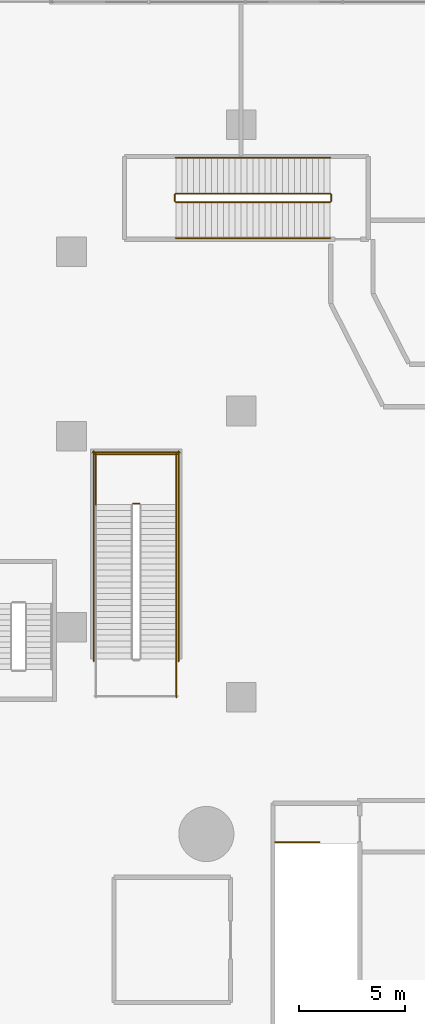
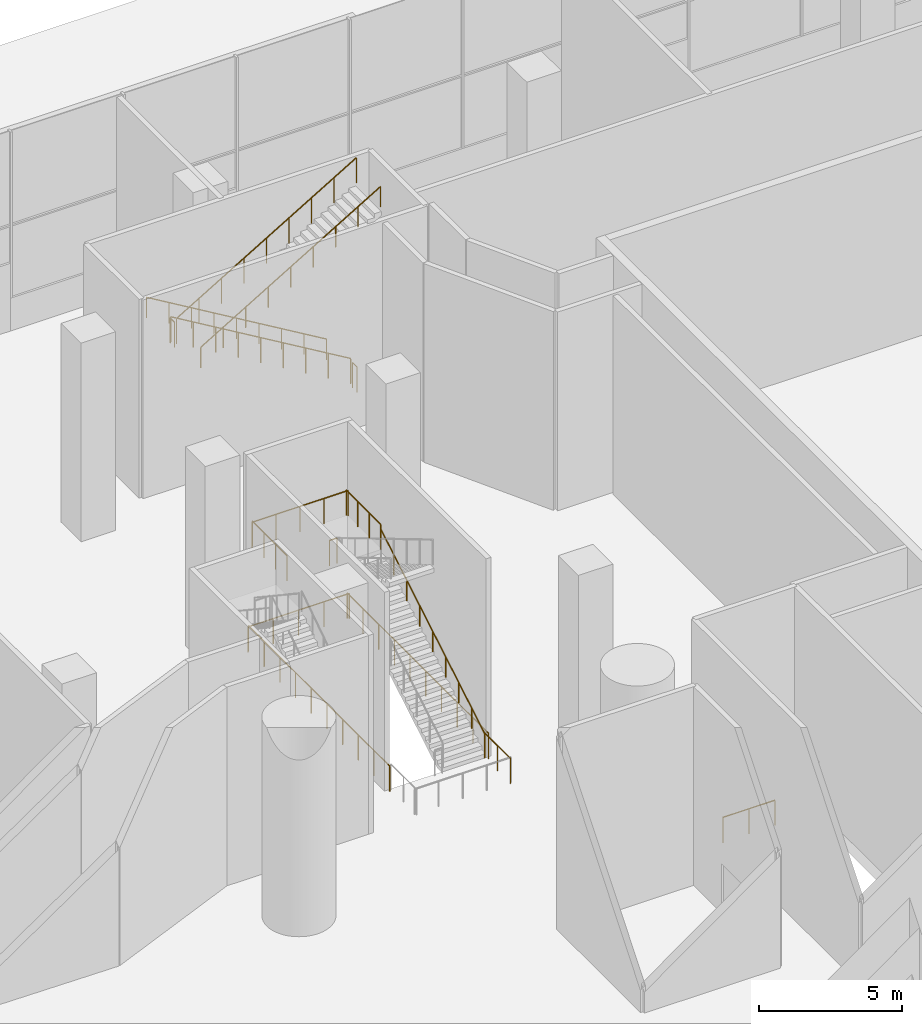
# One storey, part 49 of 54: 16 railings.
"""IFC4 building model written with IfcOpenShell, lengths in metres."""

from ifc_helpers import new_model, si_unit, direction, frame, origin, origin_2d, place, context, subcontext, project, spatial, circle, extrude, material, type_object, element, save


model = new_model("IFC4")

# Units and contexts
model_context = context("Model", 3, precision=1e-05, world=origin(), true_north=direction((0.0, 1.0)))
body_context = subcontext(model_context, "Body", "Model", "MODEL_VIEW")
ifc_project = project(units=[si_unit("LENGTHUNIT", "METRE"), si_unit("AREAUNIT", "SQUARE_METRE"), si_unit("VOLUMEUNIT", "CUBIC_METRE"), si_unit("PLANEANGLEUNIT", "RADIAN"), si_unit("MASSUNIT", "GRAM", prefix="KILO")], contexts=[model_context])

# Site, building, storey
site_placement = place(None, origin())
site = spatial("IfcSite", under=ifc_project, at=site_placement, CompositionType="ELEMENT")
building_placement = place(site_placement, origin())
building = spatial("IfcBuilding", under=site, at=building_placement, Name="Tamarind Cross Interchange Tower", CompositionType="ELEMENT")
storey_placement = place(building_placement, origin())
storey = spatial("IfcBuildingStorey", under=building, at=storey_placement, Name="L00", CompositionType="ELEMENT", Elevation=0.0)

# Railings
ifc_material_1 = material(Name="Public stair guard")
railing_type_1 = type_object("IfcRailingType", Name="Public stair guard", PredefinedType="GUARDRAIL", material=ifc_material_1)
railing_1_placement = place(storey_placement, frame((8.699951171875, 36.1298828125, 4.5)))
element("IfcRailing", 1, at=railing_1_placement, inside=storey, type_object=railing_type_1, Name="L00 PS-N stair guard 2", PredefinedType="GUARDRAIL", context=body_context, shape_type="SweptSolid", body=[
    extrude(circle(Radius=0.02392578125, at=origin_2d()), frame((0.0, 0.0, 1.076171875), z_axis=(-1.0, 0.0, 0.0), x_axis=(0.0, -1.0, 0.0)), (0.0, 0.0, 1.0), 0.300048828125),
    extrude(circle(Radius=0.02099609375, at=origin_2d()), origin(), (0.0, 0.0, 1.0), 1.052001953125),
    extrude(circle(Radius=0.02099609375, at=origin_2d()), frame((-0.300048828125, 0.0, 0.0)), (0.0, 0.0, 1.0), 1.052001953125),
])
for number, where, name in (
    (2, (10.449951171875, 36.080078125, 4.5), "L00 PS-N stair guard 3"),
    (3, (6.64990234375, 36.080078125, 4.5), "L00 PS-N stair guard 4"),
):
    element("IfcRailing", number, at=place(storey_placement, frame(where)), inside=storey, type_object=railing_type_1, Name=name, PredefinedType="GUARDRAIL", context=body_context, shape_type="SweptSolid", body=[
        extrude(circle(Radius=0.02392578125, at=origin_2d()), frame((0.0, 0.0, 1.076171875), z_axis=(0.0, 1.0, 0.0), x_axis=(-1.0, 0.0, 0.0)), (0.0, 0.0, 1.0), 2.419921875),
        extrude(circle(Radius=0.02099609375, at=origin_2d()), origin(), (0.0, 0.0, 1.0), 1.052001953125),
        extrude(circle(Radius=0.02099609375, at=origin_2d()), frame((0.0, 0.806640625, 0.0)), (0.0, 0.0, 1.0), 1.052001953125),
        extrude(circle(Radius=0.02099609375, at=origin_2d()), frame((0.0, 1.61328125, 0.0)), (0.0, 0.0, 1.0), 1.052001953125),
        extrude(circle(Radius=0.02099609375, at=origin_2d()), frame((0.0, 2.419921875, 0.0)), (0.0, 0.0, 1.0), 1.052001953125),
    ])
railing_2_placement = place(storey_placement, frame((10.5, 38.449951171875, 4.5)))
element("IfcRailing", 4, at=railing_2_placement, inside=storey, type_object=railing_type_1, Name="L00 PS-N stair guard 5", PredefinedType="GUARDRAIL", context=body_context, shape_type="SweptSolid", body=[
    extrude(circle(Radius=0.02392578125, at=origin_2d()), frame((0.0, 0.0, 1.076171875), z_axis=(-1.0, 0.0, 0.0), x_axis=(0.0, -1.0, 0.0)), (0.0, 0.0, 1.0), 3.89990234375),
    extrude(circle(Radius=0.02099609375, at=origin_2d()), origin(), (0.0, 0.0, 1.0), 1.052001953125),
    extrude(circle(Radius=0.02099609375, at=origin_2d()), frame((-0.97509765625, 0.0, 0.0)), (0.0, 0.0, 1.0), 1.052001953125),
    extrude(circle(Radius=0.02099609375, at=origin_2d()), frame((-1.949951171875, 0.0, 0.0)), (0.0, 0.0, 1.0), 1.052001953125),
    extrude(circle(Radius=0.02099609375, at=origin_2d()), frame((-2.9248046875, 0.0, 0.0)), (0.0, 0.0, 1.0), 1.052001953125),
    extrude(circle(Radius=0.02099609375, at=origin_2d()), frame((-3.89990234375, 0.0, 0.0)), (0.0, 0.0, 1.0), 1.052001953125),
])
railing_3_placement = place(storey_placement, frame((10.449951171875, 27.0, 0.0)))
element("IfcRailing", 5, at=railing_3_placement, inside=storey, type_object=railing_type_1, Name="L00 PS-N stair guard 8", PredefinedType="GUARDRAIL", context=body_context, shape_type="SweptSolid", body=[
    extrude(circle(Radius=0.02392578125, at=origin_2d()), frame((0.0, 0.0, 1.076171875), z_axis=(0.0, 1.0, 0.0), x_axis=(-1.0, 0.0, 0.0)), (0.0, 0.0, 1.0), 1.800048828125),
    extrude(circle(Radius=0.02099609375, at=origin_2d()), origin(), (0.0, 0.0, 1.0), 1.052001953125),
    extrude(circle(Radius=0.02099609375, at=origin_2d()), frame((0.0, 0.89990234375, 0.0)), (0.0, 0.0, 1.0), 1.052001953125),
    extrude(circle(Radius=0.02099609375, at=origin_2d()), frame((0.0, 1.800048828125, 0.0)), (0.0, 0.0, 1.0), 1.052001953125),
])
for number, where, name in (
    (6, (10.550048828125, 28.699951171875, 0.0), "L00 PS-N stair guard 11"),
    (7, (6.550048828125, 28.699951171875, 0.0), "L00 PS-N stair guard 12"),
):
    element("IfcRailing", number, at=place(storey_placement, frame(where)), inside=storey, type_object=railing_type_1, Name=name, PredefinedType="GUARDRAIL", context=body_context, shape_type="SweptSolid", body=[
        extrude(circle(Radius=0.02392578125, at=origin_2d()), frame((0.0, 0.0, 1.076171875), z_axis=(0.0, 1.0, 0.0), x_axis=(-1.0, 0.0, 0.0)), (0.0, 0.0, 1.0), 9.900146484375),
        extrude(circle(Radius=0.02099609375, at=origin_2d()), origin(), (0.0, 0.0, 1.0), 1.052001953125),
        extrude(circle(Radius=0.02099609375, at=origin_2d()), frame((0.0, 1.10009765625, 0.0)), (0.0, 0.0, 1.0), 1.052001953125),
        extrude(circle(Radius=0.02099609375, at=origin_2d()), frame((0.0, 2.199951171875, 0.0)), (0.0, 0.0, 1.0), 1.052001953125),
        extrude(circle(Radius=0.02099609375, at=origin_2d()), frame((0.0, 3.300048828125, 0.0)), (0.0, 0.0, 1.0), 1.052001953125),
        extrude(circle(Radius=0.02099609375, at=origin_2d()), frame((0.0, 4.400146484375, 0.0)), (0.0, 0.0, 1.0), 1.052001953125),
        extrude(circle(Radius=0.02099609375, at=origin_2d()), frame((0.0, 5.5, 0.0)), (0.0, 0.0, 1.0), 1.052001953125),
        extrude(circle(Radius=0.02099609375, at=origin_2d()), frame((0.0, 6.60009765625, 0.0)), (0.0, 0.0, 1.0), 1.052001953125),
        extrude(circle(Radius=0.02099609375, at=origin_2d()), frame((0.0, 7.7001953125, 0.0)), (0.0, 0.0, 1.0), 1.052001953125),
        extrude(circle(Radius=0.02099609375, at=origin_2d()), frame((0.0, 8.800048828125, 0.0)), (0.0, 0.0, 1.0), 1.052001953125),
        extrude(circle(Radius=0.02099609375, at=origin_2d()), frame((0.0, 9.900146484375, 0.0)), (0.0, 0.0, 1.0), 1.052001953125),
    ])
railing_4_placement = place(storey_placement, frame((10.60009765625, 38.550048828125, 0.0)))
element("IfcRailing", 8, at=railing_4_placement, inside=storey, type_object=railing_type_1, Name="L00 PS-N stair guard 13", PredefinedType="GUARDRAIL", context=body_context, shape_type="SweptSolid", body=[
    extrude(circle(Radius=0.02392578125, at=origin_2d()), frame((0.0, 0.0, 1.076171875), z_axis=(-1.0, 0.0, 0.0), x_axis=(0.0, -1.0, 0.0)), (0.0, 0.0, 1.0), 4.10009765625),
    extrude(circle(Radius=0.02099609375, at=origin_2d()), origin(), (0.0, 0.0, 1.0), 1.052001953125),
    extrude(circle(Radius=0.02099609375, at=origin_2d()), frame((-1.02490234375, 0.0, 0.0)), (0.0, 0.0, 1.0), 1.052001953125),
    extrude(circle(Radius=0.02099609375, at=origin_2d()), frame((-2.050048828125, 0.0, 0.0)), (0.0, 0.0, 1.0), 1.052001953125),
    extrude(circle(Radius=0.02099609375, at=origin_2d()), frame((-3.0751953125, 0.0, 0.0)), (0.0, 0.0, 1.0), 1.052001953125),
    extrude(circle(Radius=0.02099609375, at=origin_2d()), frame((-4.10009765625, 0.0, 0.0)), (0.0, 0.0, 1.0), 1.052001953125),
])
railing_5_placement = place(storey_placement, frame((15.10009765625, 20.14990234375, 0.0)))
element("IfcRailing", 9, at=railing_5_placement, inside=storey, type_object=railing_type_1, Name="L00 XS-E top well guard 1", PredefinedType="GUARDRAIL", context=body_context, shape_type="SweptSolid", body=[
    extrude(circle(Radius=0.02392578125, at=origin_2d()), frame((0.0, 0.0, 1.076171875), z_axis=(1.0, 0.0, 0.0), x_axis=(0.0, 1.0, 0.0)), (0.0, 0.0, 1.0), 2.099853515625),
    extrude(circle(Radius=0.02099609375, at=origin_2d()), origin(), (0.0, 0.0, 1.0), 1.052001953125),
    extrude(circle(Radius=0.02099609375, at=origin_2d()), frame((1.0498046875, 0.0, 0.0)), (0.0, 0.0, 1.0), 1.052001953125),
    extrude(circle(Radius=0.02099609375, at=origin_2d()), frame((2.099853515625, 0.0, 0.0)), (0.0, 0.0, 1.0), 1.052001953125),
])
railing_6_placement = place(storey_placement, frame((17.699951171875, 50.75, 0.166748046875)))
element("IfcRailing", 10, at=railing_6_placement, inside=storey, type_object=railing_type_1, Name="L00 XS-P03 stair guard 1", PredefinedType="GUARDRAIL", context=body_context, shape_type="SweptSolid", body=[
    extrude(circle(Radius=0.02392578125, at=origin_2d()), frame((0.0, 0.0, 1.076171875), z_axis=(-0.859298010897, 0.0, 0.511475247171), x_axis=(0.0, -1.0, 0.0)), (0.0, 0.0, 1.0), 8.47216796875),
    extrude(circle(Radius=0.02099609375, at=origin_2d()), origin(), (0.0, 0.0, 1.0), 1.052001953125),
    extrude(circle(Radius=0.02099609375, at=origin_2d()), frame((-0.909912109375, 0.0, 0.541748046875)), (0.0, 0.0, 1.0), 1.052001953125),
    extrude(circle(Radius=0.02099609375, at=origin_2d()), frame((-1.820068359375, 0.0, 1.083251953125)), (0.0, 0.0, 1.0), 1.052001953125),
    extrude(circle(Radius=0.02099609375, at=origin_2d()), frame((-2.72998046875, 0.0, 1.625)), (0.0, 0.0, 1.0), 1.052001953125),
    extrude(circle(Radius=0.02099609375, at=origin_2d()), frame((-3.64013671875, 0.0, 2.16650390625)), (0.0, 0.0, 1.0), 1.052001953125),
    extrude(circle(Radius=0.02099609375, at=origin_2d()), frame((-4.550048828125, 0.0, 2.708251953125)), (0.0, 0.0, 1.0), 1.052001953125),
    extrude(circle(Radius=0.02099609375, at=origin_2d()), frame((-5.4599609375, 0.0, 3.25)), (0.0, 0.0, 1.0), 1.052001953125),
    extrude(circle(Radius=0.02099609375, at=origin_2d()), frame((-6.3701171875, 0.0, 3.79150390625)), (0.0, 0.0, 1.0), 1.052001953125),
    extrude(circle(Radius=0.02099609375, at=origin_2d()), frame((-7.280029296875, 0.0, 4.333251953125)), (0.0, 0.0, 1.0), 1.052001953125),
])
railing_7_placement = place(storey_placement, frame((10.3701171875, 50.699951171875, 4.5)))
element("IfcRailing", 11, at=railing_7_placement, inside=storey, type_object=railing_type_1, Name="L00 XS-P03 stair guard 2", PredefinedType="GUARDRAIL", context=body_context, shape_type="SweptSolid", body=[
    extrude(circle(Radius=0.02392578125, at=origin_2d()), frame((0.0, 0.0, 1.076171875), z_axis=(0.0, -1.0, 0.0), x_axis=(1.0, 0.0, 0.0)), (0.0, 0.0, 1.0), 0.300048828125),
    extrude(circle(Radius=0.02099609375, at=origin_2d()), origin(), (0.0, 0.0, 1.0), 1.052001953125),
    extrude(circle(Radius=0.02099609375, at=origin_2d()), frame((0.0, -0.300048828125, 0.0)), (0.0, 0.0, 1.0), 1.052001953125),
])
railing_8_placement = place(storey_placement, frame((10.419921875, 50.35009765625, 4.666748046875)))
element("IfcRailing", 12, at=railing_8_placement, inside=storey, type_object=railing_type_1, Name="L00 XS-P03 stair guard 3", PredefinedType="GUARDRAIL", context=body_context, shape_type="SweptSolid", body=[
    extrude(circle(Radius=0.02392578125, at=origin_2d()), frame((0.0, 0.0, 1.076171875), z_axis=(0.859298010897, 0.0, 0.511475247171), x_axis=(0.0, 1.0, 0.0)), (0.0, 0.0, 1.0), 8.47216796875),
    extrude(circle(Radius=0.02099609375, at=origin_2d()), origin(), (0.0, 0.0, 1.0), 1.052001953125),
    extrude(circle(Radius=0.02099609375, at=origin_2d()), frame((0.909912109375, 0.0, 0.541748046875)), (0.0, 0.0, 1.0), 1.052001953125),
    extrude(circle(Radius=0.02099609375, at=origin_2d()), frame((1.820068359375, 0.0, 1.083251953125)), (0.0, 0.0, 1.0), 1.052001953125),
    extrude(circle(Radius=0.02099609375, at=origin_2d()), frame((2.72998046875, 0.0, 1.625)), (0.0, 0.0, 1.0), 1.052001953125),
    extrude(circle(Radius=0.02099609375, at=origin_2d()), frame((3.64013671875, 0.0, 2.16650390625)), (0.0, 0.0, 1.0), 1.052001953125),
    extrude(circle(Radius=0.02099609375, at=origin_2d()), frame((4.550048828125, 0.0, 2.708251953125)), (0.0, 0.0, 1.0), 1.052001953125),
    extrude(circle(Radius=0.02099609375, at=origin_2d()), frame((5.4599609375, 0.0, 3.25)), (0.0, 0.0, 1.0), 1.052001953125),
    extrude(circle(Radius=0.02099609375, at=origin_2d()), frame((6.3701171875, 0.0, 3.79150390625)), (0.0, 0.0, 1.0), 1.052001953125),
    extrude(circle(Radius=0.02099609375, at=origin_2d()), frame((7.280029296875, 0.0, 4.333251953125)), (0.0, 0.0, 1.0), 1.052001953125),
])
railing_9_placement = place(storey_placement, frame((17.75, 50.699951171875, 0.0)))
element("IfcRailing", 13, at=railing_9_placement, inside=storey, type_object=railing_type_1, Name="L00 XS-P03 stair guard 4", PredefinedType="GUARDRAIL", context=body_context, shape_type="SweptSolid", body=[
    extrude(circle(Radius=0.02392578125, at=origin_2d()), frame((0.0, 0.0, 1.076171875), z_axis=(0.0, -1.0, 0.0), x_axis=(1.0, 0.0, 0.0)), (0.0, 0.0, 1.0), 0.300048828125),
    extrude(circle(Radius=0.02099609375, at=origin_2d()), origin(), (0.0, 0.0, 1.0), 1.052001953125),
    extrude(circle(Radius=0.02099609375, at=origin_2d()), frame((0.0, -0.300048828125, 0.0)), (0.0, 0.0, 1.0), 1.052001953125),
])
ifc_material_2 = material(Name="Public stair handrail")
railing_type_2 = type_object("IfcRailingType", Name="Public stair handrail", PredefinedType="HANDRAIL", material=ifc_material_2)
railing_10_placement = place(storey_placement, frame((10.449951171875, 28.800048828125, 0.166748046875)))
element("IfcRailing", 14, at=railing_10_placement, inside=storey, type_object=railing_type_2, Name="L00 PS-N stair handrail 1", PredefinedType="HANDRAIL", context=body_context, shape_type="SweptSolid", body=[
    extrude(circle(Radius=0.02392578125, at=origin_2d()), frame((0.0, 0.0, 0.8759765625), z_axis=(0.0, 0.859298010897, 0.511475247171), x_axis=(-1.0, 0.0, 0.0)), (0.0, 0.0, 1.0), 8.47216796875),
    extrude(circle(Radius=0.02099609375, at=origin_2d()), origin(), (0.0, 0.0, 1.0), 0.851806640625),
    extrude(circle(Radius=0.02099609375, at=origin_2d()), frame((0.0, 0.909912109375, 0.541748046875)), (0.0, 0.0, 1.0), 0.851806640625),
    extrude(circle(Radius=0.02099609375, at=origin_2d()), frame((0.0, 1.820068359375, 1.083251953125)), (0.0, 0.0, 1.0), 0.851806640625),
    extrude(circle(Radius=0.02099609375, at=origin_2d()), frame((0.0, 2.72998046875, 1.625)), (0.0, 0.0, 1.0), 0.851806640625),
    extrude(circle(Radius=0.02099609375, at=origin_2d()), frame((0.0, 3.64013671875, 2.16650390625)), (0.0, 0.0, 1.0), 0.851806640625),
    extrude(circle(Radius=0.02099609375, at=origin_2d()), frame((0.0, 4.550048828125, 2.708251953125)), (0.0, 0.0, 1.0), 0.851806640625),
    extrude(circle(Radius=0.02099609375, at=origin_2d()), frame((0.0, 5.4599609375, 3.25)), (0.0, 0.0, 1.0), 0.851806640625),
    extrude(circle(Radius=0.02099609375, at=origin_2d()), frame((0.0, 6.3701171875, 3.79150390625)), (0.0, 0.0, 1.0), 0.851806640625),
    extrude(circle(Radius=0.02099609375, at=origin_2d()), frame((0.0, 7.280029296875, 4.333251953125)), (0.0, 0.0, 1.0), 0.851806640625),
])
railing_11_placement = place(storey_placement, frame((17.699951171875, 52.449951171875, 0.166748046875)))
element("IfcRailing", 15, at=railing_11_placement, inside=storey, type_object=railing_type_2, Name="L00 XS-P03 stair handrail 1", PredefinedType="HANDRAIL", context=body_context, shape_type="SweptSolid", body=[
    extrude(circle(Radius=0.02392578125, at=origin_2d()), frame((0.0, 0.0, 0.8759765625), z_axis=(-0.859298010897, 0.0, 0.511475247171), x_axis=(0.0, -1.0, 0.0)), (0.0, 0.0, 1.0), 8.47216796875),
    extrude(circle(Radius=0.02099609375, at=origin_2d()), origin(), (0.0, 0.0, 1.0), 0.851806640625),
    extrude(circle(Radius=0.02099609375, at=origin_2d()), frame((-0.909912109375, 0.0, 0.541748046875)), (0.0, 0.0, 1.0), 0.851806640625),
    extrude(circle(Radius=0.02099609375, at=origin_2d()), frame((-1.820068359375, 0.0, 1.083251953125)), (0.0, 0.0, 1.0), 0.851806640625),
    extrude(circle(Radius=0.02099609375, at=origin_2d()), frame((-2.72998046875, 0.0, 1.625)), (0.0, 0.0, 1.0), 0.851806640625),
    extrude(circle(Radius=0.02099609375, at=origin_2d()), frame((-3.64013671875, 0.0, 2.16650390625)), (0.0, 0.0, 1.0), 0.851806640625),
    extrude(circle(Radius=0.02099609375, at=origin_2d()), frame((-4.550048828125, 0.0, 2.708251953125)), (0.0, 0.0, 1.0), 0.851806640625),
    extrude(circle(Radius=0.02099609375, at=origin_2d()), frame((-5.4599609375, 0.0, 3.25)), (0.0, 0.0, 1.0), 0.851806640625),
    extrude(circle(Radius=0.02099609375, at=origin_2d()), frame((-6.3701171875, 0.0, 3.79150390625)), (0.0, 0.0, 1.0), 0.851806640625),
    extrude(circle(Radius=0.02099609375, at=origin_2d()), frame((-7.280029296875, 0.0, 4.333251953125)), (0.0, 0.0, 1.0), 0.851806640625),
])
railing_12_placement = place(storey_placement, frame((10.419921875, 48.64990234375, 4.666748046875)))
element("IfcRailing", 16, at=railing_12_placement, inside=storey, type_object=railing_type_2, Name="L00 XS-P03 stair handrail 2", PredefinedType="HANDRAIL", context=body_context, shape_type="SweptSolid", body=[
    extrude(circle(Radius=0.02392578125, at=origin_2d()), frame((0.0, 0.0, 0.8759765625), z_axis=(0.859298010897, 0.0, 0.511475247171), x_axis=(0.0, 1.0, 0.0)), (0.0, 0.0, 1.0), 8.47216796875),
    extrude(circle(Radius=0.02099609375, at=origin_2d()), origin(), (0.0, 0.0, 1.0), 0.851806640625),
    extrude(circle(Radius=0.02099609375, at=origin_2d()), frame((0.909912109375, 0.0, 0.541748046875)), (0.0, 0.0, 1.0), 0.851806640625),
    extrude(circle(Radius=0.02099609375, at=origin_2d()), frame((1.820068359375, 0.0, 1.083251953125)), (0.0, 0.0, 1.0), 0.851806640625),
    extrude(circle(Radius=0.02099609375, at=origin_2d()), frame((2.72998046875, 0.0, 1.625)), (0.0, 0.0, 1.0), 0.851806640625),
    extrude(circle(Radius=0.02099609375, at=origin_2d()), frame((3.64013671875, 0.0, 2.16650390625)), (0.0, 0.0, 1.0), 0.851806640625),
    extrude(circle(Radius=0.02099609375, at=origin_2d()), frame((4.550048828125, 0.0, 2.708251953125)), (0.0, 0.0, 1.0), 0.851806640625),
    extrude(circle(Radius=0.02099609375, at=origin_2d()), frame((5.4599609375, 0.0, 3.25)), (0.0, 0.0, 1.0), 0.851806640625),
    extrude(circle(Radius=0.02099609375, at=origin_2d()), frame((6.3701171875, 0.0, 3.79150390625)), (0.0, 0.0, 1.0), 0.851806640625),
    extrude(circle(Radius=0.02099609375, at=origin_2d()), frame((7.280029296875, 0.0, 4.333251953125)), (0.0, 0.0, 1.0), 0.851806640625),
])

save(model, "model.ifc")
